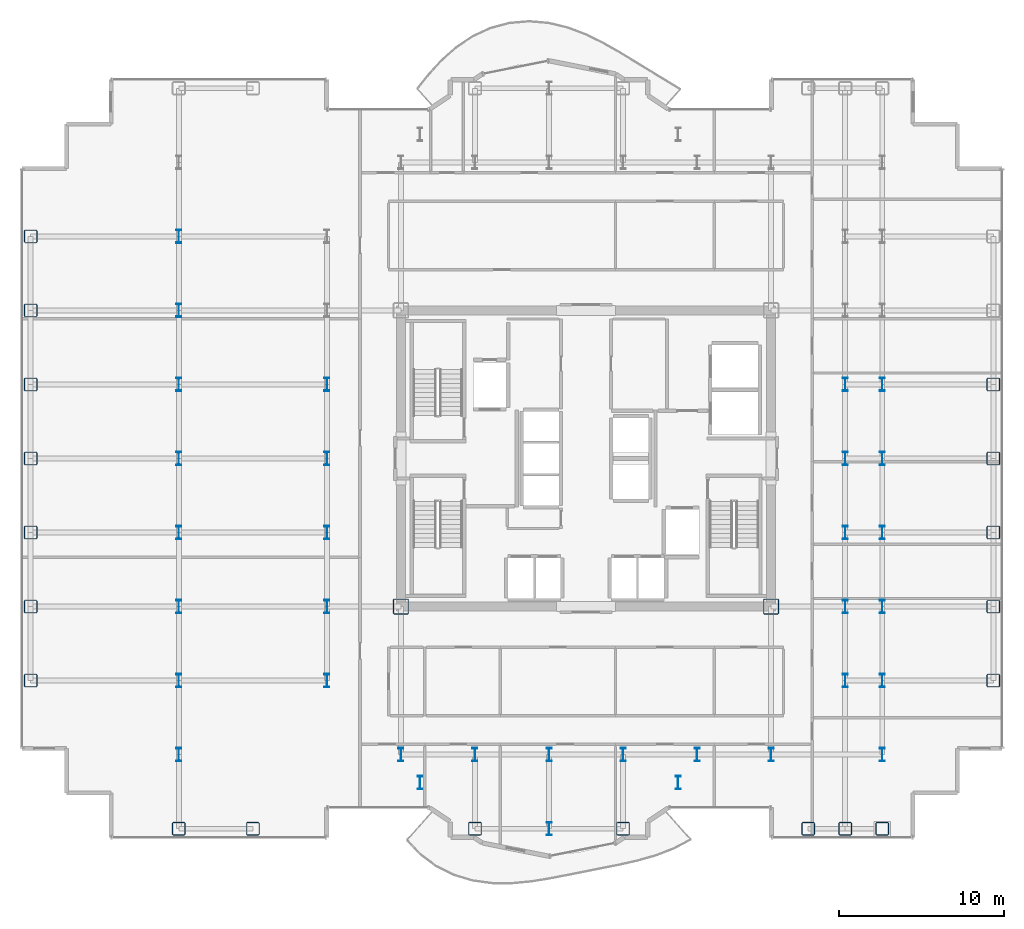
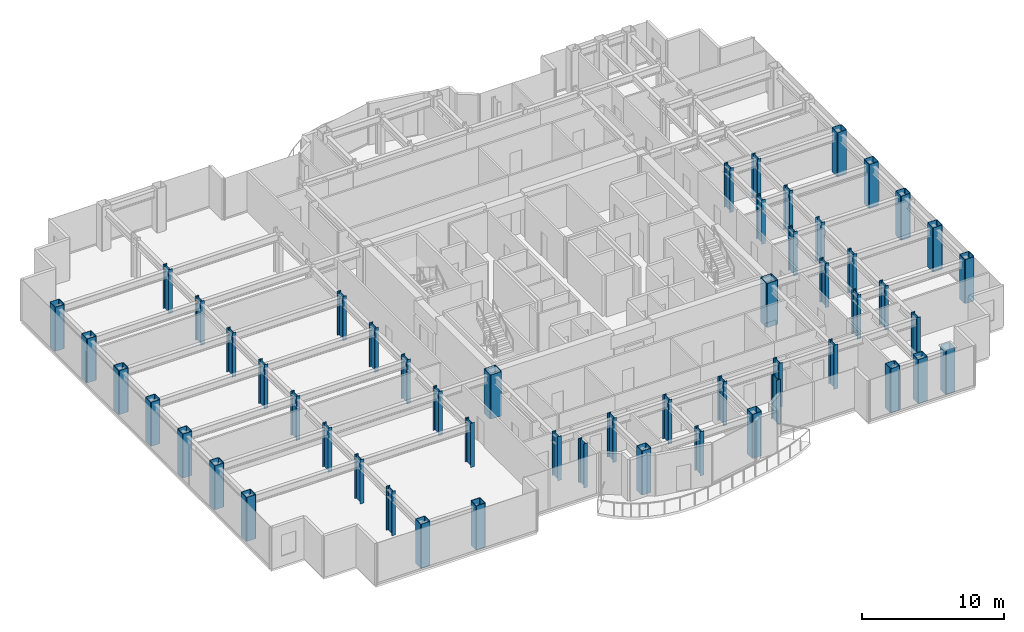
# One storey, part 1 of 22: 54 columns.
"""IFC4 building model written with IfcOpenShell, lengths in metres."""

from ifc_helpers import new_model, si_unit, direction, frame, origin, origin_2d, place, context, subcontext, project, spatial, hollow_rectangle, i_section, extrude, source, transform, mapped, material, material_profile, profile_set, type_object, element, save


model = new_model("IFC4")

# Units and contexts
model_context = context("Model", 3, precision=1e-05, world=origin(), true_north=direction((0.0, 1.0)))
body_context = subcontext(model_context, "Body", "Model", "MODEL_VIEW")
ifc_project = project(units=[si_unit("LENGTHUNIT", "METRE"), si_unit("AREAUNIT", "SQUARE_METRE"), si_unit("VOLUMEUNIT", "CUBIC_METRE"), si_unit("PLANEANGLEUNIT", "RADIAN"), si_unit("MASSUNIT", "GRAM", prefix="KILO")], contexts=[model_context])

# Site, building, storey
site_placement = place(None, origin())
site = spatial("IfcSite", under=ifc_project, at=site_placement, CompositionType="ELEMENT")
building_placement = place(site_placement, origin())
building = spatial("IfcBuilding", under=site, at=building_placement, Name="Nefas-Gora Pilgrimage Tower", CompositionType="ELEMENT")
storey_placement = place(building_placement, frame((0.0, 0.0, 179.199951171875)))
storey = spatial("IfcBuildingStorey", under=building, at=storey_placement, Name="L44", CompositionType="ELEMENT", Elevation=179.199951171875)

# Columns
ifc_material = material(Name="Steel S460", Category="steel")
ifc_material_profile_1 = material_profile(ifc_material, hollow_rectangle(XDim=0.949951171875, YDim=0.949951171875, WallThickness=0.044921875, InnerFilletRadius=0.044921875, OuterFilletRadius=0.090087890625, at=origin_2d()), Name="BOX 950x950x45")
ifc_profile_set_1 = profile_set([ifc_material_profile_1], Name="Steel S460")
column_type_1 = type_object("IfcColumnType", Name="COL-CORE-950", PredefinedType="COLUMN", material=ifc_profile_set_1)
shared_shape_1 = source(origin(), body_context, "Body", "SweptSolid", [
    extrude(hollow_rectangle(XDim=0.949951171875, YDim=0.949951171875, WallThickness=0.044921875, InnerFilletRadius=0.044921875, OuterFilletRadius=0.090087890625, at=origin_2d()), origin(), (0.0, 0.0, 1.0), 3.800048828125),
])
for number, where, z_axis, x_axis, name in (
    (1, (-11.25, -9.0, 0.0), (0.0, 0.0, 1.0), (1.0, 0.0, 0.0), "L44 Tower Column CC-Z1.29"),
    (2, (11.25, -9.0, 0.0), (0.0, 0.0, 1.0), (1.0, 0.0, 0.0), "L44 Tower Column CC-Z1.51"),
):
    element("IfcColumn", number, at=place(storey_placement, frame(where, z_axis=z_axis, x_axis=x_axis)), inside=storey, type_object=column_type_1, Name=name, PredefinedType="COLUMN", context=body_context, shape_type="MappedRepresentation", body=[
        mapped(shared_shape_1, transform((0.0, 0.0, 0.0), x_axis=(1.0, 0.0, 0.0), y_axis=(0.0, 1.0, 0.0), z_axis=(0.0, 0.0, 1.0), scale=1.0)),
    ])
ifc_material_profile_2 = material_profile(ifc_material, hollow_rectangle(XDim=0.800048828125, YDim=0.800048828125, WallThickness=0.0400390625, InnerFilletRadius=0.0400390625, OuterFilletRadius=0.080078125, at=origin_2d()), Name="BOX 800x800x40")
ifc_profile_set_2 = profile_set([ifc_material_profile_2], Name="Steel S460")
column_type_2 = type_object("IfcColumnType", Name="COL-TUBE-800", PredefinedType="COLUMN", material=ifc_profile_set_2)
shared_shape_2 = source(origin(), body_context, "Body", "SweptSolid", [
    extrude(hollow_rectangle(XDim=0.800048828125, YDim=0.800048828125, WallThickness=0.0400390625, InnerFilletRadius=0.0400390625, OuterFilletRadius=0.080078125, at=origin_2d()), origin(), (0.0, 0.0, 1.0), 3.800048828125),
])
for number, where, z_axis, x_axis, name in (
    (3, (-33.75, -13.5, 0.0), (0.0, 0.0, 1.0), (1.0, 0.0, 0.0), "L44 Tower Column C-Z2.1"),
    (4, (-33.75, -9.0, 0.0), (0.0, 0.0, 1.0), (1.0, 0.0, 0.0), "L44 Tower Column C-Z2.2"),
    (5, (-33.75, -4.5, 0.0), (0.0, 0.0, 1.0), (1.0, 0.0, 0.0), "L44 Tower Column C-Z2.3"),
    (6, (-33.75, 0.0, 0.0), (0.0, 0.0, 1.0), (1.0, 0.0, 0.0), "L44 Tower Column C-Z2.4"),
    (7, (-33.75, 4.5, 0.0), (0.0, 0.0, 1.0), (1.0, 0.0, 0.0), "L44 Tower Column C-Z2.5"),
    (8, (-33.75, 9.0, 0.0), (0.0, 0.0, 1.0), (1.0, 0.0, 0.0), "L44 Tower Column C-Z2.6"),
    (9, (-33.75, 13.5, 0.0), (0.0, 0.0, 1.0), (1.0, 0.0, 0.0), "L44 Tower Column C-Z2.7"),
    (10, (-24.75, -22.5, 0.0), (0.0, 0.0, 1.0), (1.0, 0.0, 0.0), "L44 Tower Column C-Z2.8"),
    (11, (-20.25, -22.5, 0.0), (0.0, 0.0, 1.0), (1.0, 0.0, 0.0), "L44 Tower Column C-Z2.19"),
    (12, (-6.75, -22.5, 0.0), (0.0, 0.0, 1.0), (1.0, 0.0, 0.0), "L44 Tower Column C-Z2.34"),
    (13, (2.25, -22.5, 0.0), (0.0, 0.0, 1.0), (1.0, 0.0, 0.0), "L44 Tower Column C-Z2.42"),
    (14, (13.5, -22.5, 0.0), (0.0, 0.0, 1.0), (1.0, 0.0, 0.0), "L44 Tower Column C-Z2.54"),
    (15, (15.75, -22.5, 0.0), (0.0, 0.0, 1.0), (1.0, 0.0, 0.0), "L44 Tower Column C-Z2.56"),
    (16, (18.0, -22.5, 0.0), (0.0, 0.0, 1.0), (1.0, 0.0, 0.0), "L44 Tower Column C-Z2.65"),
    (17, (24.75, -13.5, 0.0), (0.0, 0.0, 1.0), (1.0, 0.0, 0.0), "L44 Tower Column C-Z2.76"),
    (18, (24.75, -9.0, 0.0), (0.0, 0.0, 1.0), (1.0, 0.0, 0.0), "L44 Tower Column C-Z2.77"),
    (19, (24.75, -4.5, 0.0), (0.0, 0.0, 1.0), (1.0, 0.0, 0.0), "L44 Tower Column C-Z2.78"),
    (20, (24.75, 0.0, 0.0), (0.0, 0.0, 1.0), (1.0, 0.0, 0.0), "L44 Tower Column C-Z2.79"),
    (21, (24.75, 4.5, 0.0), (0.0, 0.0, 1.0), (1.0, 0.0, 0.0), "L44 Tower Column C-Z2.80"),
):
    element("IfcColumn", number, at=place(storey_placement, frame(where, z_axis=z_axis, x_axis=x_axis)), inside=storey, type_object=column_type_2, Name=name, PredefinedType="COLUMN", context=body_context, shape_type="MappedRepresentation", body=[
        mapped(shared_shape_2, transform((0.0, 0.0, 0.0), x_axis=(1.0, 0.0, 0.0), y_axis=(0.0, 1.0, 0.0), z_axis=(0.0, 0.0, 1.0), scale=1.0)),
    ])
ifc_material_profile_3 = material_profile(ifc_material, i_section(OverallWidth=0.302978515625, OverallDepth=0.81396484375, WebThickness=0.02099609375, FlangeThickness=0.0400390625, FilletRadius=0.030029296875, at=origin_2d()), Name="HEM 800")
ifc_profile_set_3 = profile_set([ifc_material_profile_3], Name="Steel S460")
column_type_3 = type_object("IfcColumnType", Name="COL-WEB-HEM800", PredefinedType="COLUMN", material=ifc_profile_set_3)
shared_shape_3 = source(origin(), body_context, "Body", "SweptSolid", [
    extrude(i_section(OverallWidth=0.302978515625, OverallDepth=0.81396484375, WebThickness=0.02099609375, FlangeThickness=0.0400390625, FilletRadius=0.030029296875, at=origin_2d()), origin(), (0.0, 0.0, 1.0), 3.800048828125),
])
for number, where, z_axis, x_axis, name in (
    (22, (-24.75, -18.0, 0.0), (0.0, 0.0, 1.0), (1.0, 0.0, 0.0), "L44 Tower Column CW-02.9"),
    (23, (-24.75, -13.5, 0.0), (0.0, 0.0, 1.0), (1.0, 0.0, 0.0), "L44 Tower Column CW-02.10"),
    (24, (-24.75, -9.0, 0.0), (0.0, 0.0, 1.0), (1.0, 0.0, 0.0), "L44 Tower Column CW-02.11"),
    (25, (-24.75, -4.5, 0.0), (0.0, 0.0, 1.0), (1.0, 0.0, 0.0), "L44 Tower Column CW-02.12"),
    (26, (-24.75, 0.0, 0.0), (0.0, 0.0, 1.0), (1.0, 0.0, 0.0), "L44 Tower Column CW-02.13"),
    (27, (-24.75, 4.5, 0.0), (0.0, 0.0, 1.0), (1.0, 0.0, 0.0), "L44 Tower Column CW-02.14"),
    (28, (-24.75, 9.0, 0.0), (0.0, 0.0, 1.0), (1.0, 0.0, 0.0), "L44 Tower Column CW-02.15"),
    (29, (-24.75, 13.5, 0.0), (0.0, 0.0, 1.0), (1.0, 0.0, 0.0), "L44 Tower Column CW-02.16"),
    (30, (-15.75, -13.5, 0.0), (0.0, 0.0, 1.0), (1.0, 0.0, 0.0), "L44 Tower Column CW-02.21"),
    (31, (-15.75, -9.0, 0.0), (0.0, 0.0, 1.0), (1.0, 0.0, 0.0), "L44 Tower Column CW-02.22"),
    (32, (-15.75, -4.5, 0.0), (0.0, 0.0, 1.0), (1.0, 0.0, 0.0), "L44 Tower Column CW-02.23"),
    (33, (-15.75, 0.0, 0.0), (0.0, 0.0, 1.0), (1.0, 0.0, 0.0), "L44 Tower Column CW-02.24"),
    (34, (-15.75, 4.5, 0.0), (0.0, 0.0, 1.0), (1.0, 0.0, 0.0), "L44 Tower Column CW-02.25"),
    (35, (-11.25, -18.0, 0.0), (0.0, 0.0, 1.0), (1.0, 0.0, 0.0), "L44 Tower Column CW-02.28"),
    (36, (-10.091064453125, -19.696044921875, 0.0), (0.0, 0.0, 1.0), (1.0, 0.0, 0.0), "L44 Tower Column CW-02.32"),
    (37, (-6.75, -18.0, 0.0), (0.0, 0.0, 1.0), (1.0, 0.0, 0.0), "L44 Tower Column CW-02.35"),
    (38, (-2.25, -22.5, 0.0), (0.0, 0.0, 1.0), (1.0, 0.0, 0.0), "L44 Tower Column CW-02.38"),
    (39, (-2.25, -18.0, 0.0), (0.0, 0.0, 1.0), (1.0, 0.0, 0.0), "L44 Tower Column CW-02.39"),
    (40, (2.25, -18.0, 0.0), (0.0, 0.0, 1.0), (1.0, 0.0, 0.0), "L44 Tower Column CW-02.43"),
    (41, (5.591064453125, -19.696044921875, 0.0), (0.0, 0.0, 1.0), (1.0, 0.0, 0.0), "L44 Tower Column CW-02.46"),
    (42, (6.75, -18.0, 0.0), (0.0, 0.0, 1.0), (1.0, 0.0, 0.0), "L44 Tower Column CW-02.48"),
    (43, (11.25, -18.0, 0.0), (0.0, 0.0, 1.0), (1.0, 0.0, 0.0), "L44 Tower Column CW-02.50"),
    (44, (15.75, -13.5, 0.0), (0.0, 0.0, 1.0), (1.0, 0.0, 0.0), "L44 Tower Column CW-02.57"),
    (45, (15.75, -9.0, 0.0), (0.0, 0.0, 1.0), (1.0, 0.0, 0.0), "L44 Tower Column CW-02.58"),
    (46, (15.75, -4.5, 0.0), (0.0, 0.0, 1.0), (1.0, 0.0, 0.0), "L44 Tower Column CW-02.59"),
    (47, (15.75, 0.0, 0.0), (0.0, 0.0, 1.0), (1.0, 0.0, 0.0), "L44 Tower Column CW-02.60"),
    (48, (15.75, 4.5, 0.0), (0.0, 0.0, 1.0), (1.0, 0.0, 0.0), "L44 Tower Column CW-02.61"),
    (49, (18.0, -18.0, 0.0), (0.0, 0.0, 1.0), (1.0, 0.0, 0.0), "L44 Tower Column CW-02.66"),
    (50, (18.0, -13.5, 0.0), (0.0, 0.0, 1.0), (1.0, 0.0, 0.0), "L44 Tower Column CW-02.67"),
    (51, (18.0, -9.0, 0.0), (0.0, 0.0, 1.0), (1.0, 0.0, 0.0), "L44 Tower Column CW-02.68"),
    (52, (18.0, -4.5, 0.0), (0.0, 0.0, 1.0), (1.0, 0.0, 0.0), "L44 Tower Column CW-02.69"),
    (53, (18.0, 0.0, 0.0), (0.0, 0.0, 1.0), (1.0, 0.0, 0.0), "L44 Tower Column CW-02.70"),
    (54, (18.0, 4.5, 0.0), (0.0, 0.0, 1.0), (1.0, 0.0, 0.0), "L44 Tower Column CW-02.71"),
):
    element("IfcColumn", number, at=place(storey_placement, frame(where, z_axis=z_axis, x_axis=x_axis)), inside=storey, type_object=column_type_3, Name=name, PredefinedType="COLUMN", context=body_context, shape_type="MappedRepresentation", body=[
        mapped(shared_shape_3, transform((0.0, 0.0, 0.0), x_axis=(1.0, 0.0, 0.0), y_axis=(0.0, 1.0, 0.0), z_axis=(0.0, 0.0, 1.0), scale=1.0)),
    ])

save(model, "model.ifc")
